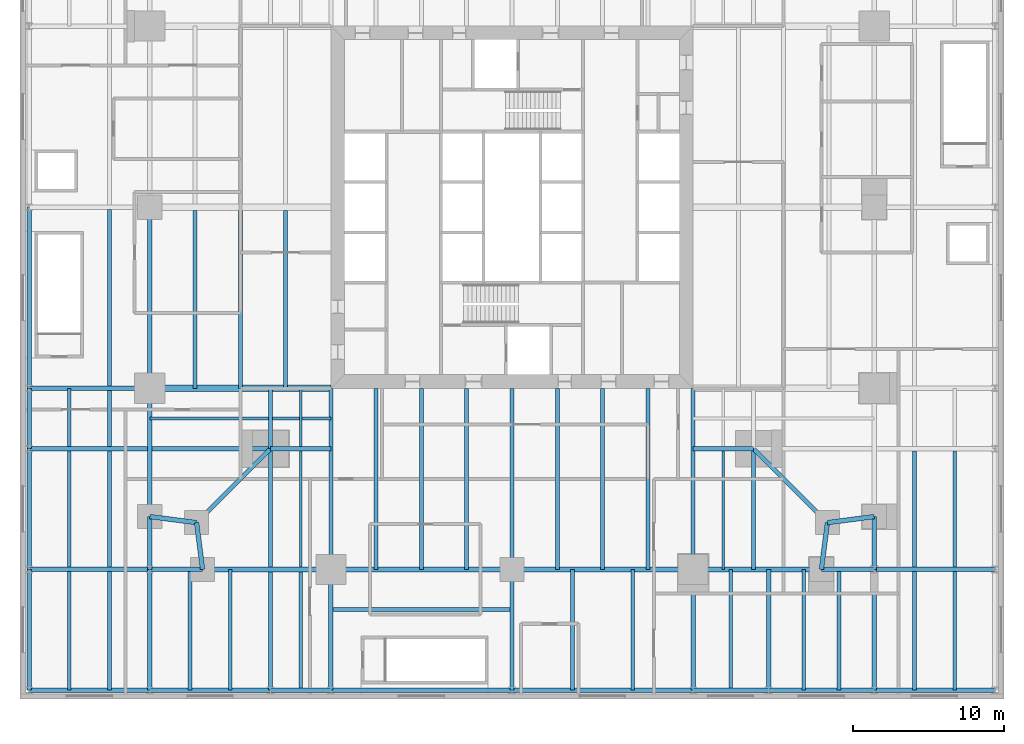
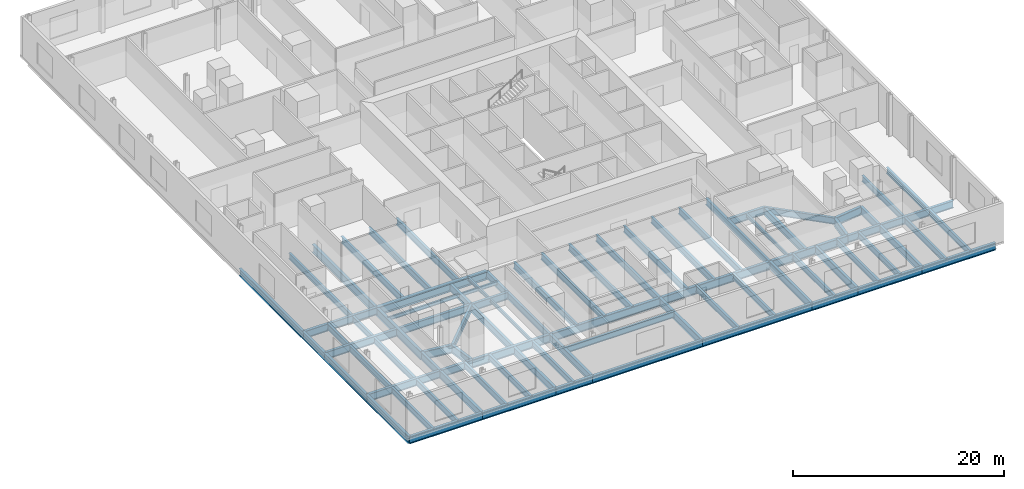
# One storey, part 5 of 15: 84 beams.
"""IFC4 building model written with IfcOpenShell, lengths in metres."""

from ifc_helpers import new_model, si_unit, direction, frame, origin, origin_2d, place, context, subcontext, project, spatial, i_section, extrude, material, material_profile, profile_set, type_object, element, save


model = new_model("IFC4")

# Units and contexts
model_context = context("Model", 3, precision=1e-05, world=origin(), true_north=direction((0.0, 1.0)))
body_context = subcontext(model_context, "Body", "Model", "MODEL_VIEW")
ifc_project = project(units=[si_unit("LENGTHUNIT", "METRE"), si_unit("AREAUNIT", "SQUARE_METRE"), si_unit("VOLUMEUNIT", "CUBIC_METRE"), si_unit("PLANEANGLEUNIT", "RADIAN"), si_unit("MASSUNIT", "GRAM", prefix="KILO")], contexts=[model_context])

# Site, building, storey
site_placement = place(None, origin())
site = spatial("IfcSite", under=ifc_project, at=site_placement, CompositionType="ELEMENT")
building_placement = place(site_placement, origin())
building = spatial("IfcBuilding", under=site, at=building_placement, Name="Fenwick Lantern Interchange", CompositionType="ELEMENT")
storey_placement = place(building_placement, frame((0.0, 0.0, 26.199951171875)))
storey = spatial("IfcBuildingStorey", under=building, at=storey_placement, Name="L05", CompositionType="ELEMENT", Elevation=26.199951171875)

# Beams
ifc_material = material(Name="Steel ASTM A992 Grade 50", Category="steel")
ifc_material_profile_1 = material_profile(ifc_material, i_section(OverallWidth=0.309814453125, OverallDepth=0.949951171875, WebThickness=0.0244140625, FlangeThickness=0.0439453125, at=origin_2d()), Name="W36X256")
ifc_profile_set_1 = profile_set([ifc_material_profile_1], Name="Steel ASTM A992 Grade 50")
beam_type_1 = type_object("IfcBeamType", Name="EDGE BEAM W36X256", PredefinedType="SPANDREL", material=ifc_profile_set_1)
beam_1_placement = place(storey_placement, frame((4.5, 1.0, -0.675048828125), z_axis=(1.0, 0.0, 0.0), x_axis=(0.0, 1.0, 0.0)))
element("IfcBeam", 1, at=beam_1_placement, inside=storey, type_object=beam_type_1, Name="L05/FR/S/EB1", PredefinedType="SPANDREL", context=body_context, shape_type="SweptSolid", body=[
    extrude(i_section(OverallWidth=0.309814453125, OverallDepth=0.949951171875, WebThickness=0.0244140625, FlangeThickness=0.0439453125, at=origin_2d()), origin(), (0.0, 0.0, 1.0), 8.5),
])
for number, where, z_axis, x_axis, name in (
    (2, (13.0, 1.0, -0.675048828125), (1.0, 0.0, 0.0), (0.0, 1.0, 0.0), "L05/FR/S/EB2"),
    (3, (25.0, 1.0, -0.675048828125), (1.0, 0.0, 0.0), (0.0, 1.0, 0.0), "L05/FR/S/EB3"),
):
    element("IfcBeam", number, at=place(storey_placement, frame(where, z_axis=z_axis, x_axis=x_axis)), inside=storey, type_object=beam_type_1, Name=name, PredefinedType="SPANDREL", context=body_context, shape_type="SweptSolid", body=[
        extrude(i_section(OverallWidth=0.309814453125, OverallDepth=0.949951171875, WebThickness=0.0244140625, FlangeThickness=0.0439453125, at=origin_2d()), origin(), (0.0, 0.0, 1.0), 12.0),
    ])
beam_2_placement = place(storey_placement, frame((37.0, 1.0, -0.675048828125), z_axis=(1.0, 0.0, 0.0), x_axis=(0.0, 1.0, 0.0)))
element("IfcBeam", 4, at=beam_2_placement, inside=storey, type_object=beam_type_1, Name="L05/FR/S/EB4", PredefinedType="SPANDREL", context=body_context, shape_type="SweptSolid", body=[
    extrude(i_section(OverallWidth=0.309814453125, OverallDepth=0.949951171875, WebThickness=0.0244140625, FlangeThickness=0.0439453125, at=origin_2d()), origin(), (0.0, 0.0, 1.0), 8.5),
])
for number, where, z_axis, x_axis, name in (
    (5, (45.5, 1.0, -0.675048828125), (0.127936641807, 0.991782342897, 0.0), (-0.991782342897, 0.127936641807, 0.0), "L05/FR/S/EBR1"),
    (6, (45.89990234375, 4.10009765625, -0.675048828125), (0.991782342897, 0.127936641807, 0.0), (-0.127936641807, 0.991782342897, 0.0), "L05/FR/S/EBR2"),
):
    element("IfcBeam", number, at=place(storey_placement, frame(where, z_axis=z_axis, x_axis=x_axis)), inside=storey, type_object=beam_type_1, Name=name, PredefinedType="SPANDREL", context=body_context, shape_type="SweptSolid", body=[
        extrude(i_section(OverallWidth=0.309814453125, OverallDepth=0.949951171875, WebThickness=0.0244140625, FlangeThickness=0.0439453125, at=origin_2d()), origin(), (0.0, 0.0, 1.0), 3.125732421875),
    ])
beam_3_placement = place(storey_placement, frame((1.0, 25.0, -0.675048828125), z_axis=(0.0, -1.0, 0.0), x_axis=(1.0, 0.0, 0.0)))
element("IfcBeam", 7, at=beam_3_placement, inside=storey, type_object=beam_type_1, Name="L05/FR/W/EB3", PredefinedType="SPANDREL", context=body_context, shape_type="SweptSolid", body=[
    extrude(i_section(OverallWidth=0.309814453125, OverallDepth=0.949951171875, WebThickness=0.0244140625, FlangeThickness=0.0439453125, at=origin_2d()), origin(), (0.0, 0.0, 1.0), 12.0),
])
beam_4_placement = place(storey_placement, frame((1.0, 13.0, -0.675048828125), z_axis=(0.0, -1.0, 0.0), x_axis=(1.0, 0.0, 0.0)))
element("IfcBeam", 8, at=beam_4_placement, inside=storey, type_object=beam_type_1, Name="L05/FR/W/EB4", PredefinedType="SPANDREL", context=body_context, shape_type="SweptSolid", body=[
    extrude(i_section(OverallWidth=0.309814453125, OverallDepth=0.949951171875, WebThickness=0.0244140625, FlangeThickness=0.0439453125, at=origin_2d()), origin(), (0.0, 0.0, 1.0), 8.5),
])
for number, where, z_axis, x_axis, name in (
    (9, (1.0, 4.5, -0.675048828125), (0.991782342897, -0.127936641807, 0.0), (0.127936641807, 0.991782342897, 0.0), "L05/FR/W/EBR1"),
    (10, (4.10009765625, 4.10009765625, -0.675048828125), (0.127936641807, -0.991782342897, 0.0), (0.991782342897, 0.127936641807, 0.0), "L05/FR/W/EBR2"),
):
    element("IfcBeam", number, at=place(storey_placement, frame(where, z_axis=z_axis, x_axis=x_axis)), inside=storey, type_object=beam_type_1, Name=name, PredefinedType="SPANDREL", context=body_context, shape_type="SweptSolid", body=[
        extrude(i_section(OverallWidth=0.309814453125, OverallDepth=0.949951171875, WebThickness=0.0244140625, FlangeThickness=0.0439453125, at=origin_2d()), origin(), (0.0, 0.0, 1.0), 3.125732421875),
    ])
ifc_material_profile_2 = material_profile(ifc_material, i_section(OverallWidth=0.2666015625, OverallDepth=0.7568359375, WebThickness=0.013916015625, FlangeThickness=0.019287109375, at=origin_2d()), Name="W30X108")
ifc_profile_set_2 = profile_set([ifc_material_profile_2], Name="Steel ASTM A992 Grade 50")
beam_type_2 = type_object("IfcBeamType", Name="FLOOR BEAM W30X108", PredefinedType="BEAM", material=ifc_profile_set_2)
for number, where, z_axis, x_axis, name in (
    (11, (16.0, 1.0, -0.578369140625), (0.0, 1.0, 0.0), (-1.0, 0.0, 0.0), "L05/FR/S/R02"),
    (12, (19.0, 1.0, -0.578369140625), (0.0, 1.0, 0.0), (-1.0, 0.0, 0.0), "L05/FR/S/R03"),
    (13, (22.0, 1.0, -0.578369140625), (0.0, 1.0, 0.0), (-1.0, 0.0, 0.0), "L05/FR/S/R04"),
    (14, (28.0, 1.0, -0.578369140625), (0.0, 1.0, 0.0), (-1.0, 0.0, 0.0), "L05/FR/S/R06"),
    (15, (31.0, 1.0, -0.578369140625), (0.0, 1.0, 0.0), (-1.0, 0.0, 0.0), "L05/FR/S/R07"),
    (16, (34.0, 1.0, -0.578369140625), (0.0, 1.0, 0.0), (-1.0, 0.0, 0.0), "L05/FR/S/R08"),
):
    element("IfcBeam", number, at=place(storey_placement, frame(where, z_axis=z_axis, x_axis=x_axis)), inside=storey, type_object=beam_type_2, Name=name, PredefinedType="BEAM", context=body_context, shape_type="SweptSolid", body=[
        extrude(i_section(OverallWidth=0.2666015625, OverallDepth=0.7568359375, WebThickness=0.013916015625, FlangeThickness=0.019287109375, at=origin_2d()), origin(), (0.0, 0.0, 1.0), 12.0),
    ])
for number, where, z_axis, x_axis, name in (
    (17, (4.0, 24.79541015625, -0.578369140625), (0.0, -1.0, 0.0), (1.0, 0.0, 0.0), "L05/FR/W/B04"),
    (18, (7.0, 24.79541015625, -0.578369140625), (0.0, -1.0, 0.0), (1.0, 0.0, 0.0), "L05/FR/W/B05"),
    (19, (10.0, 24.79541015625, -0.578369140625), (0.0, -1.0, 0.0), (1.0, 0.0, 0.0), "L05/FR/W/B06"),
):
    element("IfcBeam", number, at=place(storey_placement, frame(where, z_axis=z_axis, x_axis=x_axis)), inside=storey, type_object=beam_type_2, Name=name, PredefinedType="BEAM", context=body_context, shape_type="SweptSolid", body=[
        extrude(i_section(OverallWidth=0.2666015625, OverallDepth=0.7568359375, WebThickness=0.013916015625, FlangeThickness=0.019287109375, at=origin_2d()), origin(), (0.0, 0.0, 1.0), 11.79541015625),
    ])
ifc_material_profile_3 = material_profile(ifc_material, i_section(OverallWidth=0.177734375, OverallDepth=0.406494140625, WebThickness=0.0078125, FlangeThickness=0.012939453125, at=origin_2d()), Name="W16X40")
ifc_profile_set_3 = profile_set([ifc_material_profile_3], Name="Steel ASTM A992 Grade 50")
beam_type_3 = type_object("IfcBeamType", Name="INFILL BEAM W16X40", PredefinedType="JOIST", material=ifc_profile_set_3)
beam_5_placement = place(storey_placement, frame((11.0, 1.155029296875, -0.403076171875), z_axis=(0.0, 1.0, 0.0), x_axis=(-1.0, 0.0, 0.0)))
element("IfcBeam", 20, at=beam_5_placement, inside=storey, type_object=beam_type_3, Name="L05/FR/S/J1", PredefinedType="JOIST", context=body_context, shape_type="SweptSolid", body=[
    extrude(i_section(OverallWidth=0.177734375, OverallDepth=0.406494140625, WebThickness=0.0078125, FlangeThickness=0.012939453125, at=origin_2d()), origin(), (0.0, 0.0, 1.0), 7.698974609375),
])
beam_6_placement = place(storey_placement, frame((11.0, 9.14599609375, -0.403076171875), z_axis=(0.0, 1.0, 0.0), x_axis=(-1.0, 0.0, 0.0)))
element("IfcBeam", 21, at=beam_6_placement, inside=storey, type_object=beam_type_3, Name="L05/FR/S/J2", PredefinedType="JOIST", context=body_context, shape_type="SweptSolid", body=[
    extrude(i_section(OverallWidth=0.177734375, OverallDepth=0.406494140625, WebThickness=0.0078125, FlangeThickness=0.012939453125, at=origin_2d()), origin(), (0.0, 0.0, 1.0), 3.85400390625),
])
beam_7_placement = place(storey_placement, frame((1.0, 11.0, -0.403076171875), z_axis=(1.0, 0.0, 0.0), x_axis=(0.0, 1.0, 0.0)))
element("IfcBeam", 22, at=beam_7_placement, inside=storey, type_object=beam_type_3, Name="L05/FR/S/J3", PredefinedType="JOIST", context=body_context, shape_type="SweptSolid", body=[
    extrude(i_section(OverallWidth=0.177734375, OverallDepth=0.406494140625, WebThickness=0.0078125, FlangeThickness=0.012939453125, at=origin_2d()), origin(), (0.0, 0.0, 1.0), 7.85400390625),
])
beam_8_placement = place(storey_placement, frame((9.14599609375, 11.0, -0.403076171875), z_axis=(1.0, 0.0, 0.0), x_axis=(0.0, 1.0, 0.0)))
element("IfcBeam", 23, at=beam_8_placement, inside=storey, type_object=beam_type_3, Name="L05/FR/S/J4", PredefinedType="JOIST", context=body_context, shape_type="SweptSolid", body=[
    extrude(i_section(OverallWidth=0.177734375, OverallDepth=0.406494140625, WebThickness=0.0078125, FlangeThickness=0.012939453125, at=origin_2d()), origin(), (0.0, 0.0, 1.0), 1.76513671875),
])
beam_9_placement = place(storey_placement, frame((11.0888671875, 11.0, -0.403076171875), z_axis=(1.0, 0.0, 0.0), x_axis=(0.0, 1.0, 0.0)))
element("IfcBeam", 24, at=beam_9_placement, inside=storey, type_object=beam_type_3, Name="L05/FR/S/J5", PredefinedType="JOIST", context=body_context, shape_type="SweptSolid", body=[
    extrude(i_section(OverallWidth=0.177734375, OverallDepth=0.406494140625, WebThickness=0.0078125, FlangeThickness=0.012939453125, at=origin_2d()), origin(), (0.0, 0.0, 1.0), 1.9111328125),
])
beam_10_placement = place(storey_placement, frame((39.0, 1.0, -0.403076171875), z_axis=(0.0, 1.0, 0.0), x_axis=(-1.0, 0.0, 0.0)))
element("IfcBeam", 25, at=beam_10_placement, inside=storey, type_object=beam_type_3, Name="L05/FR/E/J3", PredefinedType="JOIST", context=body_context, shape_type="SweptSolid", body=[
    extrude(i_section(OverallWidth=0.177734375, OverallDepth=0.406494140625, WebThickness=0.0078125, FlangeThickness=0.012939453125, at=origin_2d()), origin(), (0.0, 0.0, 1.0), 7.85400390625),
])
ifc_material_profile_4 = material_profile(ifc_material, i_section(OverallWidth=0.2919921875, OverallDepth=0.845703125, WebThickness=0.015380859375, FlangeThickness=0.0244140625, at=origin_2d()), Name="W33X141")
ifc_profile_set_4 = profile_set([ifc_material_profile_4], Name="Steel ASTM A992 Grade 50")
beam_type_4 = type_object("IfcBeamType", Name="MEGA COLUMN BEAM W33X141", PredefinedType="BEAM", material=ifc_profile_set_4)
for number, where, z_axis, x_axis, name in (
    (26, (9.0, 9.0, -0.622802734375), (0.0, -1.0, 0.0), (1.0, 0.0, 0.0), "L05/FR/S/MB1"),
    (27, (9.0, 9.0, -0.622802734375), (-1.0, 0.0, 0.0), (0.0, -1.0, 0.0), "L05/FR/S/MB2"),
):
    element("IfcBeam", number, at=place(storey_placement, frame(where, z_axis=z_axis, x_axis=x_axis)), inside=storey, type_object=beam_type_4, Name=name, PredefinedType="BEAM", context=body_context, shape_type="SweptSolid", body=[
        extrude(i_section(OverallWidth=0.2919921875, OverallDepth=0.845703125, WebThickness=0.015380859375, FlangeThickness=0.0244140625, at=origin_2d()), origin(), (0.0, 0.0, 1.0), 7.844970703125),
    ])
for number, where, z_axis, x_axis, name in (
    (28, (9.0, 9.0, -0.622802734375), (1.0, 0.0, 0.0), (0.0, 1.0, 0.0), "L05/FR/S/MB3"),
    (29, (9.0, 9.0, -0.622802734375), (0.0, 1.0, 0.0), (-1.0, 0.0, 0.0), "L05/FR/S/MB4"),
):
    element("IfcBeam", number, at=place(storey_placement, frame(where, z_axis=z_axis, x_axis=x_axis)), inside=storey, type_object=beam_type_4, Name=name, PredefinedType="BEAM", context=body_context, shape_type="SweptSolid", body=[
        extrude(i_section(OverallWidth=0.2919921875, OverallDepth=0.845703125, WebThickness=0.015380859375, FlangeThickness=0.0244140625, at=origin_2d()), origin(), (0.0, 0.0, 1.0), 4.0),
    ])
beam_11_placement = place(storey_placement, frame((41.0, 9.0, -0.622802734375), z_axis=(0.0, -1.0, 0.0), x_axis=(1.0, 0.0, 0.0)))
element("IfcBeam", 30, at=beam_11_placement, inside=storey, type_object=beam_type_4, Name="L05/FR/E/MB2", PredefinedType="BEAM", context=body_context, shape_type="SweptSolid", body=[
    extrude(i_section(OverallWidth=0.2919921875, OverallDepth=0.845703125, WebThickness=0.015380859375, FlangeThickness=0.0244140625, at=origin_2d()), origin(), (0.0, 0.0, 1.0), 8.0),
])
beam_12_placement = place(storey_placement, frame((41.0, 9.0, -0.622802734375), z_axis=(-1.0, 0.0, 0.0), x_axis=(0.0, -1.0, 0.0)))
element("IfcBeam", 31, at=beam_12_placement, inside=storey, type_object=beam_type_4, Name="L05/FR/E/MB4", PredefinedType="BEAM", context=body_context, shape_type="SweptSolid", body=[
    extrude(i_section(OverallWidth=0.2919921875, OverallDepth=0.845703125, WebThickness=0.015380859375, FlangeThickness=0.0244140625, at=origin_2d()), origin(), (0.0, 0.0, 1.0), 4.0),
])
ifc_material_profile_5 = material_profile(ifc_material, i_section(OverallWidth=0.2666015625, OverallDepth=0.76953125, WebThickness=0.015625, FlangeThickness=0.025390625, at=origin_2d()), Name="W30X132")
ifc_profile_set_5 = profile_set([ifc_material_profile_5], Name="Steel ASTM A992 Grade 50")
beam_type_5 = type_object("IfcBeamType", Name="MOMENT-CONNECTED GIRDER W30X132", PredefinedType="BEAM", material=ifc_profile_set_5)
for number, where, z_axis, x_axis, name in (
    (32, (13.0, 1.0, -0.584716796875), (0.0, 1.0, 0.0), (-1.0, 0.0, 0.0), "L05/FR/S/R01"),
    (33, (25.0, 1.0, -0.584716796875), (0.0, 1.0, 0.0), (-1.0, 0.0, 0.0), "L05/FR/S/R05"),
    (34, (37.0, 1.0, -0.584716796875), (0.0, 1.0, 0.0), (-1.0, 0.0, 0.0), "L05/FR/S/R09"),
):
    element("IfcBeam", number, at=place(storey_placement, frame(where, z_axis=z_axis, x_axis=x_axis)), inside=storey, type_object=beam_type_5, Name=name, PredefinedType="BEAM", context=body_context, shape_type="SweptSolid", body=[
        extrude(i_section(OverallWidth=0.2666015625, OverallDepth=0.76953125, WebThickness=0.015625, FlangeThickness=0.025390625, at=origin_2d()), origin(), (0.0, 0.0, 1.0), 12.0),
    ])
ifc_material_profile_6 = material_profile(ifc_material, i_section(OverallWidth=0.424072265625, OverallDepth=0.947509765625, WebThickness=0.02392578125, FlangeThickness=0.042724609375, at=origin_2d()), Name="W36X302")
ifc_profile_set_6 = profile_set([ifc_material_profile_6], Name="Steel ASTM A992 Grade 50")
beam_type_6 = type_object("IfcBeamType", Name="MOMENT-CONNECTED GIRDER W36X302", PredefinedType="BEAM", material=ifc_profile_set_6)
beam_13_placement = place(storey_placement, frame((1.0, 13.0, -0.673583984375), z_axis=(1.0, 0.0, 0.0), x_axis=(0.0, 1.0, 0.0)))
element("IfcBeam", 35, at=beam_13_placement, inside=storey, type_object=beam_type_6, Name="L05/FR/W/R03", PredefinedType="BEAM", context=body_context, shape_type="SweptSolid", body=[
    extrude(i_section(OverallWidth=0.424072265625, OverallDepth=0.947509765625, WebThickness=0.02392578125, FlangeThickness=0.042724609375, at=origin_2d()), origin(), (0.0, 0.0, 1.0), 12.0),
])
ifc_material_profile_7 = material_profile(ifc_material, i_section(OverallWidth=0.2919921875, OverallDepth=0.845703125, WebThickness=0.015380859375, FlangeThickness=0.0244140625, at=origin_2d()), Name="W33X141")
ifc_profile_set_7 = profile_set([ifc_material_profile_7], Name="Steel ASTM A992 Grade 50")
beam_type_7 = type_object("IfcBeamType", Name="MOMENT-CONNECTED PODIUM GIRDER W33X141", PredefinedType="BEAM", material=ifc_profile_set_7)
for number, where, z_axis, x_axis, name in (
    (36, (-7.0, -7.0, -0.622802734375), (1.0, 0.0, 0.0), (0.0, 1.0, 0.0), "L05/PF/G001"),
    (37, (1.0, -7.0, -0.622802734375), (1.0, 0.0, 0.0), (0.0, 1.0, 0.0), "L05/PF/G002"),
):
    element("IfcBeam", number, at=place(storey_placement, frame(where, z_axis=z_axis, x_axis=x_axis)), inside=storey, type_object=beam_type_7, Name=name, PredefinedType="BEAM", context=body_context, shape_type="SweptSolid", body=[
        extrude(i_section(OverallWidth=0.2919921875, OverallDepth=0.845703125, WebThickness=0.015380859375, FlangeThickness=0.0244140625, at=origin_2d()), origin(), (0.0, 0.0, 1.0), 8.0),
    ])
beam_14_placement = place(storey_placement, frame((9.0, -7.0, -0.622802734375), z_axis=(1.0, 0.0, 0.0), x_axis=(0.0, 1.0, 0.0)))
element("IfcBeam", 38, at=beam_14_placement, inside=storey, type_object=beam_type_7, Name="L05/PF/G003", PredefinedType="BEAM", context=body_context, shape_type="SweptSolid", body=[
    extrude(i_section(OverallWidth=0.2919921875, OverallDepth=0.845703125, WebThickness=0.015380859375, FlangeThickness=0.0244140625, at=origin_2d()), origin(), (0.0, 0.0, 1.0), 4.0),
])
for number, where, z_axis, x_axis, name in (
    (39, (13.0, -7.0, -0.622802734375), (1.0, 0.0, 0.0), (0.0, 1.0, 0.0), "L05/PF/G004"),
    (40, (25.0, -7.0, -0.622802734375), (1.0, 0.0, 0.0), (0.0, 1.0, 0.0), "L05/PF/G005"),
):
    element("IfcBeam", number, at=place(storey_placement, frame(where, z_axis=z_axis, x_axis=x_axis)), inside=storey, type_object=beam_type_7, Name=name, PredefinedType="BEAM", context=body_context, shape_type="SweptSolid", body=[
        extrude(i_section(OverallWidth=0.2919921875, OverallDepth=0.845703125, WebThickness=0.015380859375, FlangeThickness=0.0244140625, at=origin_2d()), origin(), (0.0, 0.0, 1.0), 12.0),
    ])
beam_15_placement = place(storey_placement, frame((37.0, -7.0, -0.622802734375), z_axis=(1.0, 0.0, 0.0), x_axis=(0.0, 1.0, 0.0)))
element("IfcBeam", 41, at=beam_15_placement, inside=storey, type_object=beam_type_7, Name="L05/PF/G006", PredefinedType="BEAM", context=body_context, shape_type="SweptSolid", body=[
    extrude(i_section(OverallWidth=0.2919921875, OverallDepth=0.845703125, WebThickness=0.015380859375, FlangeThickness=0.0244140625, at=origin_2d()), origin(), (0.0, 0.0, 1.0), 5.0),
])
beam_16_placement = place(storey_placement, frame((42.0, -7.0, -0.622802734375), z_axis=(1.0, 0.0, 0.0), x_axis=(0.0, 1.0, 0.0)))
element("IfcBeam", 42, at=beam_16_placement, inside=storey, type_object=beam_type_7, Name="L05/PF/G007", PredefinedType="BEAM", context=body_context, shape_type="SweptSolid", body=[
    extrude(i_section(OverallWidth=0.2919921875, OverallDepth=0.845703125, WebThickness=0.015380859375, FlangeThickness=0.0244140625, at=origin_2d()), origin(), (0.0, 0.0, 1.0), 7.0),
])
for number, where, z_axis, x_axis, name in (
    (43, (49.0, -7.0, -0.622802734375), (1.0, 0.0, 0.0), (0.0, 1.0, 0.0), "L05/PF/G008"),
    (44, (-7.0, 1.0, -0.622802734375), (1.0, 0.0, 0.0), (0.0, 1.0, 0.0), "L05/PF/G009"),
):
    element("IfcBeam", number, at=place(storey_placement, frame(where, z_axis=z_axis, x_axis=x_axis)), inside=storey, type_object=beam_type_7, Name=name, PredefinedType="BEAM", context=body_context, shape_type="SweptSolid", body=[
        extrude(i_section(OverallWidth=0.2919921875, OverallDepth=0.845703125, WebThickness=0.015380859375, FlangeThickness=0.0244140625, at=origin_2d()), origin(), (0.0, 0.0, 1.0), 8.0),
    ])
for number, where, z_axis, x_axis, name in (
    (45, (1.0, 1.0, -0.622802734375), (1.0, 0.0, 0.0), (0.0, 1.0, 0.0), "L05/PF/G010"),
    (46, (45.5, 1.0, -0.622802734375), (1.0, 0.0, 0.0), (0.0, 1.0, 0.0), "L05/PF/G011"),
):
    element("IfcBeam", number, at=place(storey_placement, frame(where, z_axis=z_axis, x_axis=x_axis)), inside=storey, type_object=beam_type_7, Name=name, PredefinedType="BEAM", context=body_context, shape_type="SweptSolid", body=[
        extrude(i_section(OverallWidth=0.2919921875, OverallDepth=0.845703125, WebThickness=0.015380859375, FlangeThickness=0.0244140625, at=origin_2d()), origin(), (0.0, 0.0, 1.0), 3.5),
    ])
beam_17_placement = place(storey_placement, frame((49.0, 1.0, -0.622802734375), z_axis=(1.0, 0.0, 0.0), x_axis=(0.0, 1.0, 0.0)))
element("IfcBeam", 47, at=beam_17_placement, inside=storey, type_object=beam_type_7, Name="L05/PF/G012", PredefinedType="BEAM", context=body_context, shape_type="SweptSolid", body=[
    extrude(i_section(OverallWidth=0.2919921875, OverallDepth=0.845703125, WebThickness=0.015380859375, FlangeThickness=0.0244140625, at=origin_2d()), origin(), (0.0, 0.0, 1.0), 8.0),
])
beam_18_placement = place(storey_placement, frame((-7.0, 9.0, -0.622802734375), z_axis=(1.0, 0.0, 0.0), x_axis=(0.0, 1.0, 0.0)))
element("IfcBeam", 48, at=beam_18_placement, inside=storey, type_object=beam_type_7, Name="L05/PF/G013", PredefinedType="BEAM", context=body_context, shape_type="SweptSolid", body=[
    extrude(i_section(OverallWidth=0.2919921875, OverallDepth=0.845703125, WebThickness=0.015380859375, FlangeThickness=0.0244140625, at=origin_2d()), origin(), (0.0, 0.0, 1.0), 7.844970703125),
])
for number, where, z_axis, x_axis, name in (
    (49, (-7.0, 13.0, -0.622802734375), (1.0, 0.0, 0.0), (0.0, 1.0, 0.0), "L05/PF/G015"),
    (50, (-7.0, -7.0, -0.622802734375), (0.0, 1.0, 0.0), (-1.0, 0.0, 0.0), "L05/PF/G043"),
    (51, (-7.0, 1.0, -0.622802734375), (0.0, 1.0, 0.0), (-1.0, 0.0, 0.0), "L05/PF/G044"),
):
    element("IfcBeam", number, at=place(storey_placement, frame(where, z_axis=z_axis, x_axis=x_axis)), inside=storey, type_object=beam_type_7, Name=name, PredefinedType="BEAM", context=body_context, shape_type="SweptSolid", body=[
        extrude(i_section(OverallWidth=0.2919921875, OverallDepth=0.845703125, WebThickness=0.015380859375, FlangeThickness=0.0244140625, at=origin_2d()), origin(), (0.0, 0.0, 1.0), 8.0),
    ])
beam_19_placement = place(storey_placement, frame((-7.0, 9.0, -0.622802734375), z_axis=(0.0, 1.0, 0.0), x_axis=(-1.0, 0.0, 0.0)))
element("IfcBeam", 52, at=beam_19_placement, inside=storey, type_object=beam_type_7, Name="L05/PF/G045", PredefinedType="BEAM", context=body_context, shape_type="SweptSolid", body=[
    extrude(i_section(OverallWidth=0.2919921875, OverallDepth=0.845703125, WebThickness=0.015380859375, FlangeThickness=0.0244140625, at=origin_2d()), origin(), (0.0, 0.0, 1.0), 4.0),
])
beam_20_placement = place(storey_placement, frame((-7.0, 13.0, -0.622802734375), z_axis=(0.0, 1.0, 0.0), x_axis=(-1.0, 0.0, 0.0)))
element("IfcBeam", 53, at=beam_20_placement, inside=storey, type_object=beam_type_7, Name="L05/PF/G046", PredefinedType="BEAM", context=body_context, shape_type="SweptSolid", body=[
    extrude(i_section(OverallWidth=0.2919921875, OverallDepth=0.845703125, WebThickness=0.015380859375, FlangeThickness=0.0244140625, at=origin_2d()), origin(), (0.0, 0.0, 1.0), 12.0),
])
beam_21_placement = place(storey_placement, frame((1.0, -7.0, -0.622802734375), z_axis=(0.0, 1.0, 0.0), x_axis=(-1.0, 0.0, 0.0)))
element("IfcBeam", 54, at=beam_21_placement, inside=storey, type_object=beam_type_7, Name="L05/PF/G052", PredefinedType="BEAM", context=body_context, shape_type="SweptSolid", body=[
    extrude(i_section(OverallWidth=0.2919921875, OverallDepth=0.845703125, WebThickness=0.015380859375, FlangeThickness=0.0244140625, at=origin_2d()), origin(), (0.0, 0.0, 1.0), 8.0),
])
beam_22_placement = place(storey_placement, frame((1.0, 1.0, -0.622802734375), z_axis=(0.0, 1.0, 0.0), x_axis=(-1.0, 0.0, 0.0)))
element("IfcBeam", 55, at=beam_22_placement, inside=storey, type_object=beam_type_7, Name="L05/PF/G053", PredefinedType="BEAM", context=body_context, shape_type="SweptSolid", body=[
    extrude(i_section(OverallWidth=0.2919921875, OverallDepth=0.845703125, WebThickness=0.015380859375, FlangeThickness=0.0244140625, at=origin_2d()), origin(), (0.0, 0.0, 1.0), 3.5),
])
beam_23_placement = place(storey_placement, frame((9.0, -7.0, -0.622802734375), z_axis=(0.0, 1.0, 0.0), x_axis=(-1.0, 0.0, 0.0)))
element("IfcBeam", 56, at=beam_23_placement, inside=storey, type_object=beam_type_7, Name="L05/PF/G057", PredefinedType="BEAM", context=body_context, shape_type="SweptSolid", body=[
    extrude(i_section(OverallWidth=0.2919921875, OverallDepth=0.845703125, WebThickness=0.015380859375, FlangeThickness=0.0244140625, at=origin_2d()), origin(), (0.0, 0.0, 1.0), 7.844970703125),
])
for number, where, z_axis, x_axis, name in (
    (57, (13.0, -7.0, -0.622802734375), (0.0, 1.0, 0.0), (-1.0, 0.0, 0.0), "L05/PF/G060"),
    (58, (25.0, -7.0, -0.622802734375), (0.0, 1.0, 0.0), (-1.0, 0.0, 0.0), "L05/PF/G063"),
    (59, (37.0, -7.0, -0.622802734375), (0.0, 1.0, 0.0), (-1.0, 0.0, 0.0), "L05/PF/G066"),
    (60, (42.0, -7.0, -0.622802734375), (0.0, 1.0, 0.0), (-1.0, 0.0, 0.0), "L05/PF/G069"),
    (61, (49.0, -7.0, -0.622802734375), (0.0, 1.0, 0.0), (-1.0, 0.0, 0.0), "L05/PF/G072"),
):
    element("IfcBeam", number, at=place(storey_placement, frame(where, z_axis=z_axis, x_axis=x_axis)), inside=storey, type_object=beam_type_7, Name=name, PredefinedType="BEAM", context=body_context, shape_type="SweptSolid", body=[
        extrude(i_section(OverallWidth=0.2919921875, OverallDepth=0.845703125, WebThickness=0.015380859375, FlangeThickness=0.0244140625, at=origin_2d()), origin(), (0.0, 0.0, 1.0), 8.0),
    ])
beam_24_placement = place(storey_placement, frame((49.0, 1.0, -0.622802734375), z_axis=(0.0, 1.0, 0.0), x_axis=(-1.0, 0.0, 0.0)))
element("IfcBeam", 62, at=beam_24_placement, inside=storey, type_object=beam_type_7, Name="L05/PF/G073", PredefinedType="BEAM", context=body_context, shape_type="SweptSolid", body=[
    extrude(i_section(OverallWidth=0.2919921875, OverallDepth=0.845703125, WebThickness=0.015380859375, FlangeThickness=0.0244140625, at=origin_2d()), origin(), (0.0, 0.0, 1.0), 3.5),
])
ifc_material_profile_8 = material_profile(ifc_material, i_section(OverallWidth=0.2666015625, OverallDepth=0.7568359375, WebThickness=0.013916015625, FlangeThickness=0.019287109375, at=origin_2d()), Name="W30X108")
ifc_profile_set_8 = profile_set([ifc_material_profile_8], Name="Steel ASTM A992 Grade 50")
beam_type_8 = type_object("IfcBeamType", Name="NOTCH BEAM W30X108", PredefinedType="BEAM", material=ifc_profile_set_8)
for number, where, z_axis, x_axis, name in (
    (63, (9.0, 9.0, -0.578369140625), (-0.707106781187, -0.707106781187, 0.0), (0.707106781187, -0.707106781187, 0.0), "L05/FR/S/TG"),
    (64, (41.0, 9.0, -0.578369140625), (0.707106781187, -0.707106781187, 0.0), (0.707106781187, 0.707106781187, 0.0), "L05/FR/E/TG"),
):
    element("IfcBeam", number, at=place(storey_placement, frame(where, z_axis=z_axis, x_axis=x_axis)), inside=storey, type_object=beam_type_8, Name=name, PredefinedType="BEAM", context=body_context, shape_type="SweptSolid", body=[
        extrude(i_section(OverallWidth=0.2666015625, OverallDepth=0.7568359375, WebThickness=0.013916015625, FlangeThickness=0.019287109375, at=origin_2d()), origin(), (0.0, 0.0, 1.0), 6.929443359375),
    ])
ifc_material_profile_9 = material_profile(ifc_material, i_section(OverallWidth=0.25390625, OverallDepth=0.683349609375, WebThickness=0.012451171875, FlangeThickness=0.01904296875, at=origin_2d()), Name="W27X94")
ifc_profile_set_9 = profile_set([ifc_material_profile_9], Name="Steel ASTM A992 Grade 50")
beam_type_9 = type_object("IfcBeamType", Name="PODIUM BEAM W27X94", PredefinedType="JOIST", material=ifc_profile_set_9)
for number, where, z_axis, x_axis, name in (
    (65, (-4.333251953125, -7.0, -0.54150390625), (0.0, 1.0, 0.0), (-1.0, 0.0, 0.0), "L05/PF/J086"),
    (66, (-1.666748046875, -7.0, -0.54150390625), (0.0, 1.0, 0.0), (-1.0, 0.0, 0.0), "L05/PF/J087"),
):
    element("IfcBeam", number, at=place(storey_placement, frame(where, z_axis=z_axis, x_axis=x_axis)), inside=storey, type_object=beam_type_9, Name=name, PredefinedType="JOIST", context=body_context, shape_type="SweptSolid", body=[
        extrude(i_section(OverallWidth=0.25390625, OverallDepth=0.683349609375, WebThickness=0.012451171875, FlangeThickness=0.01904296875, at=origin_2d()), origin(), (0.0, 0.0, 1.0), 7.85400390625),
    ])
for number, where, z_axis, x_axis, name in (
    (67, (-4.333251953125, 1.14599609375, -0.54150390625), (0.0, 1.0, 0.0), (-1.0, 0.0, 0.0), "L05/PF/J088"),
    (68, (-1.666748046875, 1.14599609375, -0.54150390625), (0.0, 1.0, 0.0), (-1.0, 0.0, 0.0), "L05/PF/J089"),
):
    element("IfcBeam", number, at=place(storey_placement, frame(where, z_axis=z_axis, x_axis=x_axis)), inside=storey, type_object=beam_type_9, Name=name, PredefinedType="JOIST", context=body_context, shape_type="SweptSolid", body=[
        extrude(i_section(OverallWidth=0.25390625, OverallDepth=0.683349609375, WebThickness=0.012451171875, FlangeThickness=0.01904296875, at=origin_2d()), origin(), (0.0, 0.0, 1.0), 7.7080078125),
    ])
beam_25_placement = place(storey_placement, frame((-4.333251953125, 9.14599609375, -0.54150390625), z_axis=(0.0, 1.0, 0.0), x_axis=(-1.0, 0.0, 0.0)))
element("IfcBeam", 69, at=beam_25_placement, inside=storey, type_object=beam_type_9, Name="L05/PF/J090", PredefinedType="JOIST", context=body_context, shape_type="SweptSolid", body=[
    extrude(i_section(OverallWidth=0.25390625, OverallDepth=0.683349609375, WebThickness=0.012451171875, FlangeThickness=0.01904296875, at=origin_2d()), origin(), (0.0, 0.0, 1.0), 3.85400390625),
])
beam_26_placement = place(storey_placement, frame((-1.666748046875, 9.14599609375, -0.54150390625), z_axis=(0.0, 1.0, 0.0), x_axis=(-1.0, 0.0, 0.0)))
element("IfcBeam", 70, at=beam_26_placement, inside=storey, type_object=beam_type_9, Name="L05/PF/J091", PredefinedType="JOIST", context=body_context, shape_type="SweptSolid", body=[
    extrude(i_section(OverallWidth=0.25390625, OverallDepth=0.683349609375, WebThickness=0.012451171875, FlangeThickness=0.01904296875, at=origin_2d()), origin(), (0.0, 0.0, 1.0), 3.7080078125),
])
beam_27_placement = place(storey_placement, frame((-1.666748046875, 13.14599609375, -0.54150390625), z_axis=(0.0, 1.0, 0.0), x_axis=(-1.0, 0.0, 0.0)))
element("IfcBeam", 71, at=beam_27_placement, inside=storey, type_object=beam_type_9, Name="L05/PF/J092", PredefinedType="JOIST", context=body_context, shape_type="SweptSolid", body=[
    extrude(i_section(OverallWidth=0.25390625, OverallDepth=0.683349609375, WebThickness=0.012451171875, FlangeThickness=0.01904296875, at=origin_2d()), origin(), (0.0, 0.0, 1.0), 11.7080078125),
])
for number, where, z_axis, x_axis, name in (
    (72, (3.666748046875, -7.0, -0.54150390625), (0.0, 1.0, 0.0), (-1.0, 0.0, 0.0), "L05/PF/J102"),
    (73, (6.333251953125, -7.0, -0.54150390625), (0.0, 1.0, 0.0), (-1.0, 0.0, 0.0), "L05/PF/J103"),
):
    element("IfcBeam", number, at=place(storey_placement, frame(where, z_axis=z_axis, x_axis=x_axis)), inside=storey, type_object=beam_type_9, Name=name, PredefinedType="JOIST", context=body_context, shape_type="SweptSolid", body=[
        extrude(i_section(OverallWidth=0.25390625, OverallDepth=0.683349609375, WebThickness=0.012451171875, FlangeThickness=0.01904296875, at=origin_2d()), origin(), (0.0, 0.0, 1.0), 8.0),
    ])
beam_28_placement = place(storey_placement, frame((11.0, -7.0, -0.54150390625), z_axis=(0.0, 1.0, 0.0), x_axis=(-1.0, 0.0, 0.0)))
element("IfcBeam", 74, at=beam_28_placement, inside=storey, type_object=beam_type_9, Name="L05/PF/J108", PredefinedType="JOIST", context=body_context, shape_type="SweptSolid", body=[
    extrude(i_section(OverallWidth=0.25390625, OverallDepth=0.683349609375, WebThickness=0.012451171875, FlangeThickness=0.01904296875, at=origin_2d()), origin(), (0.0, 0.0, 1.0), 7.844970703125),
])
beam_29_placement = place(storey_placement, frame((13.0, -1.666748046875, -0.54150390625), z_axis=(1.0, 0.0, 0.0), x_axis=(0.0, 1.0, 0.0)))
element("IfcBeam", 75, at=beam_29_placement, inside=storey, type_object=beam_type_9, Name="L05/PF/J111", PredefinedType="JOIST", context=body_context, shape_type="SweptSolid", body=[
    extrude(i_section(OverallWidth=0.25390625, OverallDepth=0.683349609375, WebThickness=0.012451171875, FlangeThickness=0.01904296875, at=origin_2d()), origin(), (0.0, 0.0, 1.0), 12.0),
])
for number, where, z_axis, x_axis, name in (
    (76, (29.0, -7.0, -0.54150390625), (0.0, 1.0, 0.0), (-1.0, 0.0, 0.0), "L05/PF/J115"),
    (77, (33.0, -7.0, -0.54150390625), (0.0, 1.0, 0.0), (-1.0, 0.0, 0.0), "L05/PF/J116"),
    (78, (39.5, -7.0, -0.54150390625), (0.0, 1.0, 0.0), (-1.0, 0.0, 0.0), "L05/PF/J121"),
    (79, (44.333251953125, -7.0, -0.54150390625), (0.0, 1.0, 0.0), (-1.0, 0.0, 0.0), "L05/PF/J124"),
    (80, (46.666748046875, -7.0, -0.54150390625), (0.0, 1.0, 0.0), (-1.0, 0.0, 0.0), "L05/PF/J125"),
):
    element("IfcBeam", number, at=place(storey_placement, frame(where, z_axis=z_axis, x_axis=x_axis)), inside=storey, type_object=beam_type_9, Name=name, PredefinedType="JOIST", context=body_context, shape_type="SweptSolid", body=[
        extrude(i_section(OverallWidth=0.25390625, OverallDepth=0.683349609375, WebThickness=0.012451171875, FlangeThickness=0.01904296875, at=origin_2d()), origin(), (0.0, 0.0, 1.0), 8.0),
    ])
for number, where, z_axis, x_axis, name in (
    (81, (51.666748046875, -7.0, -0.54150390625), (0.0, 1.0, 0.0), (-1.0, 0.0, 0.0), "L05/PF/J130"),
    (82, (54.333251953125, -7.0, -0.54150390625), (0.0, 1.0, 0.0), (-1.0, 0.0, 0.0), "L05/PF/J131"),
):
    element("IfcBeam", number, at=place(storey_placement, frame(where, z_axis=z_axis, x_axis=x_axis)), inside=storey, type_object=beam_type_9, Name=name, PredefinedType="JOIST", context=body_context, shape_type="SweptSolid", body=[
        extrude(i_section(OverallWidth=0.25390625, OverallDepth=0.683349609375, WebThickness=0.012451171875, FlangeThickness=0.01904296875, at=origin_2d()), origin(), (0.0, 0.0, 1.0), 7.85400390625),
    ])
for number, where, z_axis, x_axis, name in (
    (83, (51.666748046875, 1.14599609375, -0.54150390625), (0.0, 1.0, 0.0), (-1.0, 0.0, 0.0), "L05/PF/J132"),
    (84, (54.333251953125, 1.14599609375, -0.54150390625), (0.0, 1.0, 0.0), (-1.0, 0.0, 0.0), "L05/PF/J133"),
):
    element("IfcBeam", number, at=place(storey_placement, frame(where, z_axis=z_axis, x_axis=x_axis)), inside=storey, type_object=beam_type_9, Name=name, PredefinedType="JOIST", context=body_context, shape_type="SweptSolid", body=[
        extrude(i_section(OverallWidth=0.25390625, OverallDepth=0.683349609375, WebThickness=0.012451171875, FlangeThickness=0.01904296875, at=origin_2d()), origin(), (0.0, 0.0, 1.0), 7.7080078125),
    ])

save(model, "model.ifc")
